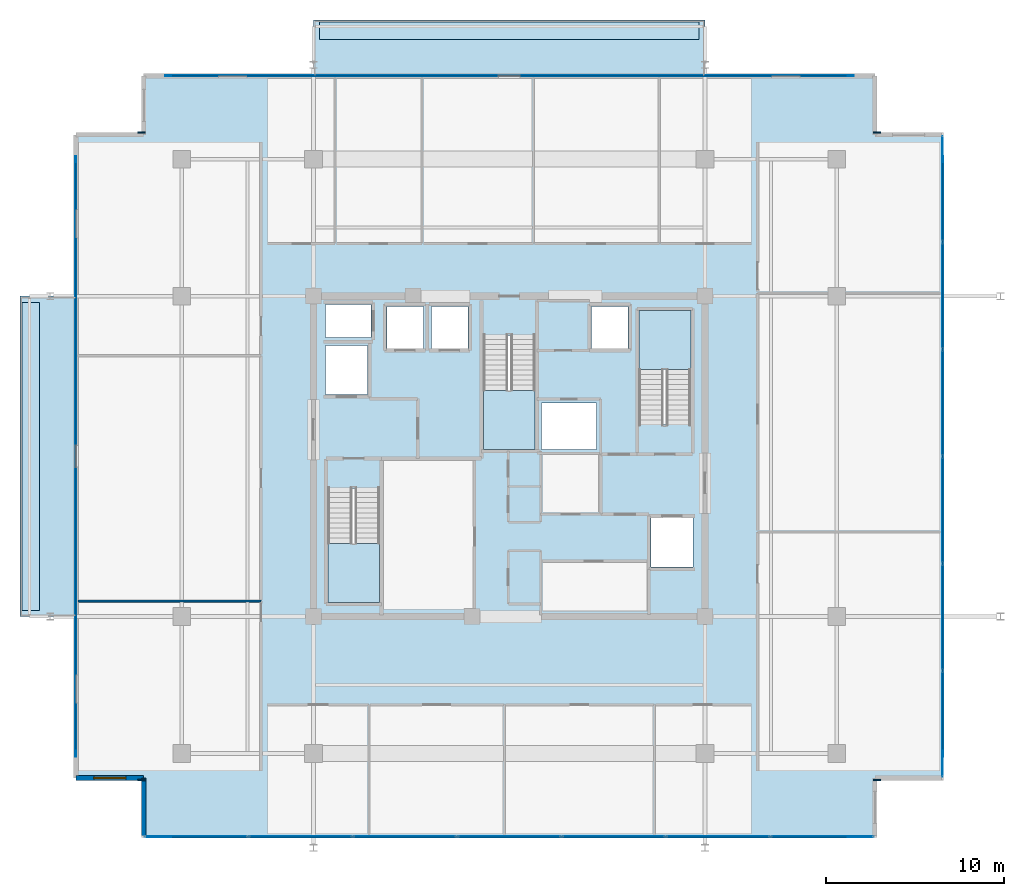
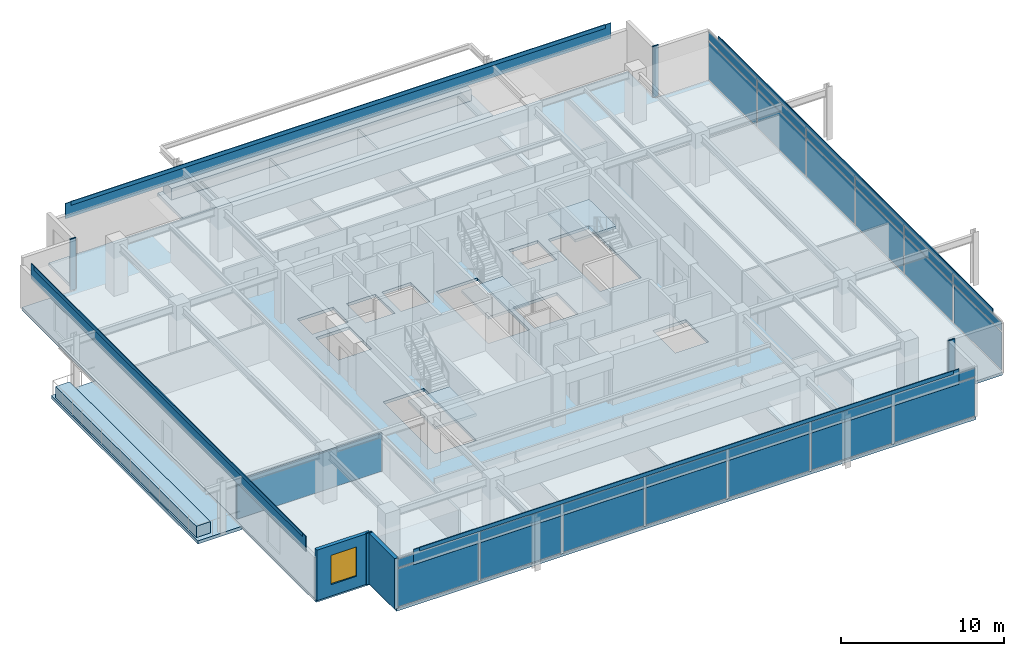
# One storey, part 12 of 20: 38 plates, 8 slabs, 3 walls, 1 window, 1 opening, 5 elements without a shape of their own.
"""IFC4 building model written with IfcOpenShell, lengths in metres."""

from ifc_helpers import new_model, si_unit, direction, frame, frame_2d, origin, origin_2d, place, context, subcontext, project, spatial, polyline, rectangle, outline, extrude, material, layer, layer_set, type_object, element, fill, aggregate, save


model = new_model("IFC4")

# Units and contexts
model_context = context("Model", 3, precision=1e-05, world=origin(), true_north=direction((0.0, 1.0)))
body_context = subcontext(model_context, "Body", "Model", "MODEL_VIEW")
ifc_project = project(units=[si_unit("LENGTHUNIT", "METRE"), si_unit("AREAUNIT", "SQUARE_METRE"), si_unit("VOLUMEUNIT", "CUBIC_METRE"), si_unit("PLANEANGLEUNIT", "RADIAN"), si_unit("MASSUNIT", "GRAM", prefix="KILO")], contexts=[model_context])

# Site, building, storey
site_placement = place(None, origin())
site = spatial("IfcSite", under=ifc_project, at=site_placement, CompositionType="ELEMENT")
building_placement = place(site_placement, origin())
building = spatial("IfcBuilding", under=site, at=building_placement, Name="Kovane Verandah Tower", CompositionType="ELEMENT")
storey_placement = place(building_placement, frame((0.0, 0.0, 334.800048828125)))
storey = spatial("IfcBuildingStorey", under=building, at=storey_placement, Name="L78", CompositionType="ELEMENT", Elevation=334.800048828125)

# Curtain wall, plates
ifc_material_1 = material(Name="Champagne Anodised Aluminium Frame with Low-E Clear Laminated Glass", Category="aluminium")
curtain_wall_type = type_object("IfcCurtainWallType", Name="CW-SYS-05-HIGH", PredefinedType="NOTDEFINED", material=ifc_material_1)
curtain_wall_1_placement = place(storey_placement, origin())
curtain_wall_1 = element("IfcCurtainWall", 1, at=curtain_wall_1_placement, inside=storey, type_object=curtain_wall_type, Name="L78 S Unitised Curtain Wall", PredefinedType="NOTDEFINED")
ifc_material_2 = material(Name="Pale Champagne Anodised Aluminium Insulated Spandrel", Category="aluminium")
ifc_layer_1 = layer(ifc_material_2, 0.0400390625)
ifc_layer_set_1 = layer_set([ifc_layer_1], Name="Pale Champagne Anodised Aluminium Insulated Spandrel")
plate_type_1 = type_object("IfcPlateType", Name="PL-CW-SPD-40", PredefinedType="SHEET", material=ifc_layer_set_1)
plate_1_placement = place(storey_placement, frame((22.390380859375, 6.127685546875, 3.05517578125), z_axis=(0.0, 0.0, 1.0), x_axis=(1.0, 0.0, 0.0)))
plate_1 = element("IfcPlate", 2, at=plate_1_placement, type_object=plate_type_1, Name="L78 S Unitised Curtain Wall Spandrel Panel 1", PredefinedType="SHEET", context=body_context, shape_type="SweptSolid", body=[
    extrude(rectangle(XDim=5.729736328125, YDim=0.0400390625, at=origin_2d()), origin(), (0.0, 0.0, 1.0), 0.639892578125),
])
plate_2_placement = place(storey_placement, frame((28.26025390625, 6.127685546875, 3.05517578125), z_axis=(0.0, 0.0, 1.0), x_axis=(1.0, 0.0, 0.0)))
plate_2 = element("IfcPlate", 3, at=plate_2_placement, type_object=plate_type_1, Name="L78 S Unitised Curtain Wall Spandrel Panel 2", PredefinedType="SHEET", context=body_context, shape_type="SweptSolid", body=[
    extrude(rectangle(XDim=5.729736328125, YDim=0.0400390625, at=origin_2d()), origin(), (0.0, 0.0, 1.0), 0.639892578125),
])
plate_3_placement = place(storey_placement, frame((34.130126953125, 6.127685546875, 3.05517578125), z_axis=(0.0, 0.0, 1.0), x_axis=(1.0, 0.0, 0.0)))
plate_3 = element("IfcPlate", 4, at=plate_3_placement, type_object=plate_type_1, Name="L78 S Unitised Curtain Wall Spandrel Panel 3", PredefinedType="SHEET", context=body_context, shape_type="SweptSolid", body=[
    extrude(rectangle(XDim=5.729736328125, YDim=0.0400390625, at=origin_2d()), origin(), (0.0, 0.0, 1.0), 0.639892578125),
])
plate_4_placement = place(storey_placement, frame((40.0, 6.127685546875, 3.05517578125), z_axis=(0.0, 0.0, 1.0), x_axis=(1.0, 0.0, 0.0)))
plate_4 = element("IfcPlate", 5, at=plate_4_placement, type_object=plate_type_1, Name="L78 S Unitised Curtain Wall Spandrel Panel 4", PredefinedType="SHEET", context=body_context, shape_type="SweptSolid", body=[
    extrude(rectangle(XDim=5.729736328125, YDim=0.0400390625, at=origin_2d()), origin(), (0.0, 0.0, 1.0), 0.639892578125),
])
plate_5_placement = place(storey_placement, frame((45.869873046875, 6.127685546875, 3.05517578125), z_axis=(0.0, 0.0, 1.0), x_axis=(1.0, 0.0, 0.0)))
plate_5 = element("IfcPlate", 6, at=plate_5_placement, type_object=plate_type_1, Name="L78 S Unitised Curtain Wall Spandrel Panel 5", PredefinedType="SHEET", context=body_context, shape_type="SweptSolid", body=[
    extrude(rectangle(XDim=5.729736328125, YDim=0.0400390625, at=origin_2d()), origin(), (0.0, 0.0, 1.0), 0.639892578125),
])
plate_6_placement = place(storey_placement, frame((51.73974609375, 6.127685546875, 3.05517578125), z_axis=(0.0, 0.0, 1.0), x_axis=(1.0, 0.0, 0.0)))
plate_6 = element("IfcPlate", 7, at=plate_6_placement, type_object=plate_type_1, Name="L78 S Unitised Curtain Wall Spandrel Panel 6", PredefinedType="SHEET", context=body_context, shape_type="SweptSolid", body=[
    extrude(rectangle(XDim=5.729736328125, YDim=0.0400390625, at=origin_2d()), origin(), (0.0, 0.0, 1.0), 0.639892578125),
])
plate_7_placement = place(storey_placement, frame((57.609619140625, 6.127685546875, 3.05517578125), z_axis=(0.0, 0.0, 1.0), x_axis=(1.0, 0.0, 0.0)))
plate_7 = element("IfcPlate", 8, at=plate_7_placement, type_object=plate_type_1, Name="L78 S Unitised Curtain Wall Spandrel Panel 7", PredefinedType="SHEET", context=body_context, shape_type="SweptSolid", body=[
    extrude(rectangle(XDim=5.729736328125, YDim=0.0400390625, at=origin_2d()), origin(), (0.0, 0.0, 1.0), 0.639892578125),
])

curtain_wall_2_placement = place(storey_placement, origin())
curtain_wall_2 = element("IfcCurtainWall", 9, at=curtain_wall_2_placement, inside=storey, type_object=curtain_wall_type, Name="L78 E Unitised Curtain Wall", PredefinedType="NOTDEFINED")
plate_8_placement = place(storey_placement, frame((64.344482421875, 12.439697265625, 3.05517578125), z_axis=(0.0, 0.0, 1.0), x_axis=(0.0, 1.0, 0.0)))
plate_8 = element("IfcPlate", 10, at=plate_8_placement, type_object=plate_type_1, Name="L78 E Unitised Curtain Wall Spandrel Panel 1", PredefinedType="SHEET", context=body_context, shape_type="SweptSolid", body=[
    extrude(rectangle(XDim=5.884033203125, YDim=0.0400390625, at=origin_2d()), origin(), (0.0, 0.0, 1.0), 0.639892578125),
])
plate_9_placement = place(storey_placement, frame((64.344482421875, 18.4638671875, 3.05517578125), z_axis=(0.0, 0.0, 1.0), x_axis=(0.0, 1.0, 0.0)))
plate_9 = element("IfcPlate", 11, at=plate_9_placement, type_object=plate_type_1, Name="L78 E Unitised Curtain Wall Spandrel Panel 2", PredefinedType="SHEET", context=body_context, shape_type="SweptSolid", body=[
    extrude(rectangle(XDim=5.884033203125, YDim=0.0400390625, at=origin_2d()), origin(), (0.0, 0.0, 1.0), 0.639892578125),
])
plate_10_placement = place(storey_placement, frame((64.344482421875, 24.488037109375, 3.05517578125), z_axis=(0.0, 0.0, 1.0), x_axis=(0.0, 1.0, 0.0)))
plate_10 = element("IfcPlate", 12, at=plate_10_placement, type_object=plate_type_1, Name="L78 E Unitised Curtain Wall Spandrel Panel 3", PredefinedType="SHEET", context=body_context, shape_type="SweptSolid", body=[
    extrude(rectangle(XDim=5.884033203125, YDim=0.0400390625, at=origin_2d()), origin(), (0.0, 0.0, 1.0), 0.639892578125),
])
plate_11_placement = place(storey_placement, frame((64.344482421875, 30.511962890625, 3.05517578125), z_axis=(0.0, 0.0, 1.0), x_axis=(0.0, 1.0, 0.0)))
plate_11 = element("IfcPlate", 13, at=plate_11_placement, type_object=plate_type_1, Name="L78 E Unitised Curtain Wall Spandrel Panel 4", PredefinedType="SHEET", context=body_context, shape_type="SweptSolid", body=[
    extrude(rectangle(XDim=5.884033203125, YDim=0.0400390625, at=origin_2d()), origin(), (0.0, 0.0, 1.0), 0.639892578125),
])
plate_12_placement = place(storey_placement, frame((64.344482421875, 36.5361328125, 3.05517578125), z_axis=(0.0, 0.0, 1.0), x_axis=(0.0, 1.0, 0.0)))
plate_12 = element("IfcPlate", 14, at=plate_12_placement, type_object=plate_type_1, Name="L78 E Unitised Curtain Wall Spandrel Panel 5", PredefinedType="SHEET", context=body_context, shape_type="SweptSolid", body=[
    extrude(rectangle(XDim=5.884033203125, YDim=0.0400390625, at=origin_2d()), origin(), (0.0, 0.0, 1.0), 0.639892578125),
])
plate_13_placement = place(storey_placement, frame((64.344482421875, 42.560302734375, 3.05517578125), z_axis=(0.0, 0.0, 1.0), x_axis=(0.0, 1.0, 0.0)))
plate_13 = element("IfcPlate", 15, at=plate_13_placement, type_object=plate_type_1, Name="L78 E Unitised Curtain Wall Spandrel Panel 6", PredefinedType="SHEET", context=body_context, shape_type="SweptSolid", body=[
    extrude(rectangle(XDim=5.884033203125, YDim=0.0400390625, at=origin_2d()), origin(), (0.0, 0.0, 1.0), 0.639892578125),
])

# Plate
ifc_material_3 = material(Name="Clear Low-E Laminated Double Glazing", Category="glass")
ifc_layer_2 = layer(ifc_material_3, 0.031982421875)
ifc_layer_set_2 = layer_set([ifc_layer_2], Name="Clear Low-E Laminated Double Glazing")
plate_type_2 = type_object("IfcPlateType", Name="PL-CW-VIS-32", PredefinedType="CURTAIN_PANEL", material=ifc_layer_set_2)
plate_14_placement = place(storey_placement, frame((22.390380859375, 6.127685546875, 0.099853515625), z_axis=(0.0, 0.0, 1.0), x_axis=(1.0, 0.0, 0.0)))
plate_14 = element("IfcPlate", 16, at=plate_14_placement, type_object=plate_type_2, Name="L78 S Unitised Curtain Wall Vision Panel 1", PredefinedType="CURTAIN_PANEL", context=body_context, shape_type="SweptSolid", body=[
    extrude(rectangle(XDim=5.729736328125, YDim=0.031982421875, at=origin_2d()), origin(), (0.0, 0.0, 1.0), 2.85498046875),
])

plate_15_placement = place(storey_placement, frame((28.26025390625, 6.127685546875, 0.099853515625), z_axis=(0.0, 0.0, 1.0), x_axis=(1.0, 0.0, 0.0)))
plate_15 = element("IfcPlate", 17, at=plate_15_placement, type_object=plate_type_2, Name="L78 S Unitised Curtain Wall Vision Panel 2", PredefinedType="CURTAIN_PANEL", context=body_context, shape_type="SweptSolid", body=[
    extrude(rectangle(XDim=5.729736328125, YDim=0.031982421875, at=origin_2d()), origin(), (0.0, 0.0, 1.0), 2.85498046875),
])

plate_16_placement = place(storey_placement, frame((34.130126953125, 6.127685546875, 0.099853515625), z_axis=(0.0, 0.0, 1.0), x_axis=(1.0, 0.0, 0.0)))
plate_16 = element("IfcPlate", 18, at=plate_16_placement, type_object=plate_type_2, Name="L78 S Unitised Curtain Wall Vision Panel 3", PredefinedType="CURTAIN_PANEL", context=body_context, shape_type="SweptSolid", body=[
    extrude(rectangle(XDim=5.729736328125, YDim=0.031982421875, at=origin_2d()), origin(), (0.0, 0.0, 1.0), 2.85498046875),
])

plate_17_placement = place(storey_placement, frame((40.0, 6.127685546875, 0.099853515625), z_axis=(0.0, 0.0, 1.0), x_axis=(1.0, 0.0, 0.0)))
plate_17 = element("IfcPlate", 19, at=plate_17_placement, type_object=plate_type_2, Name="L78 S Unitised Curtain Wall Vision Panel 4", PredefinedType="CURTAIN_PANEL", context=body_context, shape_type="SweptSolid", body=[
    extrude(rectangle(XDim=5.729736328125, YDim=0.031982421875, at=origin_2d()), origin(), (0.0, 0.0, 1.0), 2.85498046875),
])

plate_18_placement = place(storey_placement, frame((45.869873046875, 6.127685546875, 0.099853515625), z_axis=(0.0, 0.0, 1.0), x_axis=(1.0, 0.0, 0.0)))
plate_18 = element("IfcPlate", 20, at=plate_18_placement, type_object=plate_type_2, Name="L78 S Unitised Curtain Wall Vision Panel 5", PredefinedType="CURTAIN_PANEL", context=body_context, shape_type="SweptSolid", body=[
    extrude(rectangle(XDim=5.729736328125, YDim=0.031982421875, at=origin_2d()), origin(), (0.0, 0.0, 1.0), 2.85498046875),
])

plate_19_placement = place(storey_placement, frame((51.73974609375, 6.127685546875, 0.099853515625), z_axis=(0.0, 0.0, 1.0), x_axis=(1.0, 0.0, 0.0)))
plate_19 = element("IfcPlate", 21, at=plate_19_placement, type_object=plate_type_2, Name="L78 S Unitised Curtain Wall Vision Panel 6", PredefinedType="CURTAIN_PANEL", context=body_context, shape_type="SweptSolid", body=[
    extrude(rectangle(XDim=5.729736328125, YDim=0.031982421875, at=origin_2d()), origin(), (0.0, 0.0, 1.0), 2.85498046875),
])

plate_20_placement = place(storey_placement, frame((57.609619140625, 6.127685546875, 0.099853515625), z_axis=(0.0, 0.0, 1.0), x_axis=(1.0, 0.0, 0.0)))
plate_20 = element("IfcPlate", 22, at=plate_20_placement, type_object=plate_type_2, Name="L78 S Unitised Curtain Wall Vision Panel 7", PredefinedType="CURTAIN_PANEL", context=body_context, shape_type="SweptSolid", body=[
    extrude(rectangle(XDim=5.729736328125, YDim=0.031982421875, at=origin_2d()), origin(), (0.0, 0.0, 1.0), 2.85498046875),
])

aggregate(curtain_wall_1, [plate_14, plate_1, plate_15, plate_2, plate_16, plate_3, plate_17, plate_4, plate_18, plate_5, plate_19, plate_6, plate_20, plate_7])

plate_21_placement = place(storey_placement, frame((64.344482421875, 12.439697265625, 0.099853515625), z_axis=(0.0, 0.0, 1.0), x_axis=(0.0, 1.0, 0.0)))
plate_21 = element("IfcPlate", 23, at=plate_21_placement, type_object=plate_type_2, Name="L78 E Unitised Curtain Wall Vision Panel 1", PredefinedType="CURTAIN_PANEL", context=body_context, shape_type="SweptSolid", body=[
    extrude(rectangle(XDim=5.884033203125, YDim=0.031982421875, at=origin_2d()), origin(), (0.0, 0.0, 1.0), 2.85498046875),
])

plate_22_placement = place(storey_placement, frame((64.344482421875, 18.4638671875, 0.099853515625), z_axis=(0.0, 0.0, 1.0), x_axis=(0.0, 1.0, 0.0)))
plate_22 = element("IfcPlate", 24, at=plate_22_placement, type_object=plate_type_2, Name="L78 E Unitised Curtain Wall Vision Panel 2", PredefinedType="CURTAIN_PANEL", context=body_context, shape_type="SweptSolid", body=[
    extrude(rectangle(XDim=5.884033203125, YDim=0.031982421875, at=origin_2d()), origin(), (0.0, 0.0, 1.0), 2.85498046875),
])

plate_23_placement = place(storey_placement, frame((64.344482421875, 24.488037109375, 0.099853515625), z_axis=(0.0, 0.0, 1.0), x_axis=(0.0, 1.0, 0.0)))
plate_23 = element("IfcPlate", 25, at=plate_23_placement, type_object=plate_type_2, Name="L78 E Unitised Curtain Wall Vision Panel 3", PredefinedType="CURTAIN_PANEL", context=body_context, shape_type="SweptSolid", body=[
    extrude(rectangle(XDim=5.884033203125, YDim=0.031982421875, at=origin_2d()), origin(), (0.0, 0.0, 1.0), 2.85498046875),
])

plate_24_placement = place(storey_placement, frame((64.344482421875, 30.511962890625, 0.099853515625), z_axis=(0.0, 0.0, 1.0), x_axis=(0.0, 1.0, 0.0)))
plate_24 = element("IfcPlate", 26, at=plate_24_placement, type_object=plate_type_2, Name="L78 E Unitised Curtain Wall Vision Panel 4", PredefinedType="CURTAIN_PANEL", context=body_context, shape_type="SweptSolid", body=[
    extrude(rectangle(XDim=5.884033203125, YDim=0.031982421875, at=origin_2d()), origin(), (0.0, 0.0, 1.0), 2.85498046875),
])

plate_25_placement = place(storey_placement, frame((64.344482421875, 36.5361328125, 0.099853515625), z_axis=(0.0, 0.0, 1.0), x_axis=(0.0, 1.0, 0.0)))
plate_25 = element("IfcPlate", 27, at=plate_25_placement, type_object=plate_type_2, Name="L78 E Unitised Curtain Wall Vision Panel 5", PredefinedType="CURTAIN_PANEL", context=body_context, shape_type="SweptSolid", body=[
    extrude(rectangle(XDim=5.884033203125, YDim=0.031982421875, at=origin_2d()), origin(), (0.0, 0.0, 1.0), 2.85498046875),
])

plate_26_placement = place(storey_placement, frame((64.344482421875, 42.560302734375, 0.099853515625), z_axis=(0.0, 0.0, 1.0), x_axis=(0.0, 1.0, 0.0)))
plate_26 = element("IfcPlate", 28, at=plate_26_placement, type_object=plate_type_2, Name="L78 E Unitised Curtain Wall Vision Panel 6", PredefinedType="CURTAIN_PANEL", context=body_context, shape_type="SweptSolid", body=[
    extrude(rectangle(XDim=5.884033203125, YDim=0.031982421875, at=origin_2d()), origin(), (0.0, 0.0, 1.0), 2.85498046875),
])

aggregate(curtain_wall_2, [plate_21, plate_8, plate_22, plate_9, plate_23, plate_10, plate_24, plate_11, plate_25, plate_12, plate_26, plate_13])

# Plates
ifc_material_4 = material(Name="Timber-Toned Subtropical Aluminium Vertical Blade", Category="wood")
ifc_layer_3 = layer(ifc_material_4, 0.090087890625)
ifc_layer_set_3 = layer_set([ifc_layer_3], Name="Timber-Toned Subtropical Aluminium Vertical Blade")
plate_type_3 = type_object("IfcPlateType", Name="PL-FIN-90", PredefinedType="USERDEFINED", material=ifc_layer_set_3)
for number, where, z_axis, x_axis, name in (
    (29, (19.335693359375, 9.307861328125, -0.02001953125), (0.0, 0.0, 1.0), (1.0, 0.0, 0.0), "L78 SW Timber-Toned Vertical Corner Fin"),
    (30, (60.664306640625, 9.307861328125, -0.02001953125), (0.0, 0.0, 1.0), (1.0, 0.0, 0.0), "L78 SE Timber-Toned Vertical Corner Fin"),
    (31, (60.664306640625, 45.692138671875, -0.02001953125), (0.0, 0.0, 1.0), (1.0, 0.0, 0.0), "L78 NE Timber-Toned Vertical Corner Fin"),
    (32, (19.335693359375, 45.692138671875, -0.02001953125), (0.0, 0.0, 1.0), (1.0, 0.0, 0.0), "L78 NW Timber-Toned Vertical Corner Fin"),
):
    element("IfcPlate", number, at=place(storey_placement, frame(where, z_axis=z_axis, x_axis=x_axis)), inside=storey, type_object=plate_type_3, Name=name, ObjectType="FIN", PredefinedType="USERDEFINED", context=body_context, shape_type="SweptSolid", body=[
        extrude(rectangle(XDim=0.419921875, YDim=0.090087890625, at=origin_2d()), origin(), (0.0, 0.0, 1.0), 3.844970703125),
    ])
ifc_material_5 = material(Name="Perforated Pale Champagne Anodised Aluminium Solar Screen", Category="aluminium")
ifc_layer_4 = layer(ifc_material_5, 0.050048828125)
ifc_layer_set_4 = layer_set([ifc_layer_4], Name="Perforated Pale Champagne Anodised Aluminium Solar Screen")
plate_type_4 = type_object("IfcPlateType", Name="PL-SCREEN-50", PredefinedType="USERDEFINED", material=ifc_layer_set_4)
plate_27_placement = place(storey_placement, frame((40.0, 6.11279296875, 2.885009765625), z_axis=(0.0, 0.0, 1.0), x_axis=(1.0, 0.0, 0.0)))
element("IfcPlate", 33, at=plate_27_placement, inside=storey, type_object=plate_type_4, Name="L78 S Perforated Champagne-Gold Solar Screen", ObjectType="SCREEN", PredefinedType="USERDEFINED", context=body_context, shape_type="SweptSolid", body=[
    extrude(rectangle(XDim=38.68896484375, YDim=0.050048828125, at=origin_2d()), origin(), (0.0, 0.0, 1.0), 1.14990234375),
])
plate_28_placement = place(storey_placement, frame((64.359375, 27.5, 2.885009765625), z_axis=(0.0, 0.0, 1.0), x_axis=(0.0, 1.0, 0.0)))
element("IfcPlate", 34, at=plate_28_placement, inside=storey, type_object=plate_type_4, Name="L78 E Perforated Champagne-Gold Solar Screen", ObjectType="SCREEN", PredefinedType="USERDEFINED", context=body_context, shape_type="SweptSolid", body=[
    extrude(rectangle(XDim=33.743896484375, YDim=0.050048828125, at=origin_2d()), origin(), (0.0, 0.0, 1.0), 1.14990234375),
])
plate_29_placement = place(storey_placement, frame((40.0, 48.88720703125, 2.885009765625), z_axis=(0.0, 0.0, 1.0), x_axis=(-1.0, 0.0, 0.0)))
element("IfcPlate", 35, at=plate_29_placement, inside=storey, type_object=plate_type_4, Name="L78 N Perforated Champagne-Gold Solar Screen", ObjectType="SCREEN", PredefinedType="USERDEFINED", context=body_context, shape_type="SweptSolid", body=[
    extrude(rectangle(XDim=38.68896484375, YDim=0.050048828125, at=origin_2d()), origin(), (0.0, 0.0, 1.0), 1.14990234375),
])
plate_30_placement = place(storey_placement, frame((15.640625, 27.5, 2.885009765625), z_axis=(0.0, 0.0, 1.0), x_axis=(0.0, -1.0, 0.0)))
element("IfcPlate", 36, at=plate_30_placement, inside=storey, type_object=plate_type_4, Name="L78 W Perforated Champagne-Gold Solar Screen", ObjectType="SCREEN", PredefinedType="USERDEFINED", context=body_context, shape_type="SweptSolid", body=[
    extrude(rectangle(XDim=33.743896484375, YDim=0.050048828125, at=origin_2d()), origin(), (0.0, 0.0, 1.0), 1.14990234375),
])
ifc_material_6 = material(Name="Extruded Pale-Bronze Aluminium Aerofoil Sunshade", Category="aluminium")
ifc_layer_5 = layer(ifc_material_6, 0.06005859375)
ifc_layer_set_5 = layer_set([ifc_layer_5], Name="Extruded Pale-Bronze Aluminium Aerofoil Sunshade")
plate_type_5 = type_object("IfcPlateType", Name="PL-SUNSHADE-60", PredefinedType="USERDEFINED", material=ifc_layer_set_5)
plate_31_placement = place(storey_placement, frame((40.0, 6.10791015625, 3.76513671875), z_axis=(0.0, 0.0, 1.0), x_axis=(1.0, 0.0, 0.0)))
element("IfcPlate", 37, at=plate_31_placement, inside=storey, type_object=plate_type_5, Name="L78 S Subtropical Aerofoil Sunshade", ObjectType="SUNSHADE", PredefinedType="USERDEFINED", context=body_context, shape_type="SweptSolid", body=[
    extrude(rectangle(XDim=37.888916015625, YDim=0.06005859375, at=origin_2d()), origin(), (0.0, 0.0, 1.0), 0.280029296875),
])
plate_32_placement = place(storey_placement, frame((64.364501953125, 27.5, 3.76513671875), z_axis=(0.0, 0.0, 1.0), x_axis=(0.0, 1.0, 0.0)))
element("IfcPlate", 38, at=plate_32_placement, inside=storey, type_object=plate_type_5, Name="L78 E Subtropical Aerofoil Sunshade", ObjectType="SUNSHADE", PredefinedType="USERDEFINED", context=body_context, shape_type="SweptSolid", body=[
    extrude(rectangle(XDim=32.944091796875, YDim=0.06005859375, at=origin_2d()), origin(), (0.0, 0.0, 1.0), 0.280029296875),
])
plate_33_placement = place(storey_placement, frame((40.0, 48.89208984375, 3.76513671875), z_axis=(0.0, 0.0, 1.0), x_axis=(-1.0, 0.0, 0.0)))
element("IfcPlate", 39, at=plate_33_placement, inside=storey, type_object=plate_type_5, Name="L78 N Subtropical Aerofoil Sunshade", ObjectType="SUNSHADE", PredefinedType="USERDEFINED", context=body_context, shape_type="SweptSolid", body=[
    extrude(rectangle(XDim=37.888916015625, YDim=0.06005859375, at=origin_2d()), origin(), (0.0, 0.0, 1.0), 0.280029296875),
])
plate_34_placement = place(storey_placement, frame((15.635498046875, 27.5, 3.76513671875), z_axis=(0.0, 0.0, 1.0), x_axis=(0.0, -1.0, 0.0)))
element("IfcPlate", 40, at=plate_34_placement, inside=storey, type_object=plate_type_5, Name="L78 W Subtropical Aerofoil Sunshade", ObjectType="SUNSHADE", PredefinedType="USERDEFINED", context=body_context, shape_type="SweptSolid", body=[
    extrude(rectangle(XDim=32.944091796875, YDim=0.06005859375, at=origin_2d()), origin(), (0.0, 0.0, 1.0), 0.280029296875),
])

# Slabs
ifc_material_7 = material(Name="Concrete C45/55", Category="concrete")
ifc_layer_6 = layer(ifc_material_7, 0.239990234375)
ifc_layer_set_6 = layer_set([ifc_layer_6], Name="Concrete C45/55")
slab_type_1 = type_object("IfcSlabType", Name="SL-BALC-240", PredefinedType="FLOOR", material=ifc_layer_set_6)
slab_1_placement = place(storey_placement, frame((0.0, 0.0, -0.239990234375)))
element("IfcSlab", 41, at=slab_1_placement, inside=storey, type_object=slab_type_1, Name="L78 N Planted Verandah Balcony Slab", PredefinedType="FLOOR", context=body_context, shape_type="SweptSolid", body=[
    extrude(outline(polyline([(29.0, 48.872314453125), (51.0, 48.872314453125), (51.0, 52.022216796875), (29.0, 52.022216796875), (29.0, 48.872314453125)])), origin(), (0.0, 0.0, 1.0), 0.239990234375),
])
slab_2_placement = place(storey_placement, frame((0.0, 0.0, -0.239990234375)))
element("IfcSlab", 42, at=slab_2_placement, inside=storey, type_object=slab_type_1, Name="L78 W Planted Verandah Balcony Slab", PredefinedType="FLOOR", context=body_context, shape_type="SweptSolid", body=[
    extrude(outline(polyline([(12.505615234375, 18.5), (15.655517578125, 18.5), (15.655517578125, 36.5), (12.505615234375, 36.5), (12.505615234375, 18.5)])), origin(), (0.0, 0.0, 1.0), 0.239990234375),
])
ifc_layer_7 = layer(ifc_material_7, 0.215087890625)
ifc_layer_set_7 = layer_set([ifc_layer_7], Name="Concrete C45/55")
slab_type_2 = type_object("IfcSlabType", Name="SL-HIGH-215", PredefinedType="FLOOR", material=ifc_layer_set_7)
slab_3_placement = place(storey_placement, frame((0.0, 0.0, -0.215087890625)))
element("IfcSlab", 43, at=slab_3_placement, inside=storey, type_object=slab_type_2, Name="L78 Structural Floor Slab", PredefinedType="FLOOR", context=body_context, shape_type="SweptSolid", body=[
    extrude(outline(polyline([(19.45556640625, 6.127685546875), (60.54443359375, 6.127685546875), (60.54443359375, 9.427734375), (64.344482421875, 9.427734375), (64.344482421875, 45.572265625), (60.54443359375, 45.572265625), (60.54443359375, 48.872314453125), (19.45556640625, 48.872314453125), (19.45556640625, 45.572265625), (15.655517578125, 45.572265625), (15.655517578125, 9.427734375), (19.45556640625, 9.427734375), (19.45556640625, 6.127685546875)]), holes=[polyline([(29.800048828125, 19.300048828125), (32.719970703125, 19.300048828125), (32.719970703125, 25.705078125), (29.800048828125, 25.705078125), (29.800048828125, 19.300048828125)]), polyline([(47.280029296875, 29.294921875), (50.199951171875, 29.294921875), (50.199951171875, 35.699951171875), (47.280029296875, 35.699951171875), (47.280029296875, 29.294921875)]), polyline([(38.5400390625, 27.89990234375), (41.4599609375, 27.89990234375), (41.4599609375, 34.304931640625), (38.5400390625, 34.304931640625), (38.5400390625, 27.89990234375)]), polyline([(29.669921875, 30.969970703125), (32.030029296875, 30.969970703125), (32.030029296875, 33.72998046875), (29.669921875, 33.72998046875), (29.669921875, 30.969970703125)]), polyline([(47.969970703125, 21.27001953125), (50.330078125, 21.27001953125), (50.330078125, 24.030029296875), (47.969970703125, 24.030029296875), (47.969970703125, 21.27001953125)]), polyline([(29.669921875, 34.169921875), (32.22998046875, 34.169921875), (32.22998046875, 36.030029296875), (29.669921875, 36.030029296875), (29.669921875, 34.169921875)]), polyline([(33.1201171875, 33.570068359375), (35.179931640625, 33.570068359375), (35.179931640625, 35.929931640625), (33.1201171875, 35.929931640625), (33.1201171875, 33.570068359375)]), polyline([(35.6201171875, 33.570068359375), (37.679931640625, 33.570068359375), (37.679931640625, 35.929931640625), (35.6201171875, 35.929931640625), (35.6201171875, 33.570068359375)]), polyline([(44.6201171875, 33.570068359375), (46.679931640625, 33.570068359375), (46.679931640625, 35.929931640625), (44.6201171875, 35.929931640625), (44.6201171875, 33.570068359375)]), polyline([(41.800048828125, 27.89990234375), (44.89990234375, 27.89990234375), (44.89990234375, 30.5), (41.800048828125, 30.5), (41.800048828125, 27.89990234375)])]), origin(), (0.0, 0.0, 1.0), 0.215087890625),
])

# Stair, slab
stair_type = type_object("IfcStairType", Name="ST-CORE-1380", PredefinedType="HALF_TURN_STAIR", material=ifc_material_7)
stair_1_placement = place(storey_placement, origin())
stair_1 = element("IfcStair", 44, at=stair_1_placement, inside=storey, type_object=stair_type, Name="L78 Exit Stair ST-01", PredefinedType="HALF_TURN_STAIR")
ifc_layer_8 = layer(ifc_material_7, 0.199951171875)
ifc_layer_set_8 = layer_set([ifc_layer_8], Name="Concrete C45/55")
slab_type_3 = type_object("IfcSlabType", Name="SL-LAND-200", PredefinedType="LANDING", material=ifc_layer_set_8)
slab_4_placement = place(storey_placement, frame((0.0, 0.0, 1.800048828125)))
slab_4 = element("IfcSlab", 45, at=slab_4_placement, type_object=slab_type_3, Name="ST-01 landing 1", PredefinedType="LANDING", context=body_context, shape_type="SweptSolid", body=[
    extrude(outline(polyline([(29.800048828125, 22.614990234375), (29.800048828125, 19.300048828125), (32.719970703125, 19.300048828125), (32.719970703125, 22.614990234375), (29.800048828125, 22.614990234375)])), origin(), (0.0, 0.0, 1.0), 0.199951171875),
])
aggregate(stair_1, [slab_4])

stair_2_placement = place(storey_placement, origin())
stair_2 = element("IfcStair", 46, at=stair_2_placement, inside=storey, type_object=stair_type, Name="L78 Exit Stair ST-02", PredefinedType="HALF_TURN_STAIR")
slab_5_placement = place(storey_placement, frame((0.0, 0.0, 1.800048828125)))
slab_5 = element("IfcSlab", 47, at=slab_5_placement, type_object=slab_type_3, Name="ST-02 landing 1", PredefinedType="LANDING", context=body_context, shape_type="SweptSolid", body=[
    extrude(outline(polyline([(50.199951171875, 32.385009765625), (50.199951171875, 35.699951171875), (47.280029296875, 35.699951171875), (47.280029296875, 32.385009765625), (50.199951171875, 32.385009765625)])), origin(), (0.0, 0.0, 1.0), 0.199951171875),
])
aggregate(stair_2, [slab_5])

stair_3_placement = place(storey_placement, origin())
stair_3 = element("IfcStair", 48, at=stair_3_placement, inside=storey, type_object=stair_type, Name="L78 Exit Stair ST-03", PredefinedType="HALF_TURN_STAIR")
slab_6_placement = place(storey_placement, frame((0.0, 0.0, 1.800048828125)))
slab_6 = element("IfcSlab", 49, at=slab_6_placement, type_object=slab_type_3, Name="ST-03 landing 1", PredefinedType="LANDING", context=body_context, shape_type="SweptSolid", body=[
    extrude(outline(polyline([(38.5400390625, 31.215087890625), (38.5400390625, 27.89990234375), (41.4599609375, 27.89990234375), (41.4599609375, 31.215087890625), (38.5400390625, 31.215087890625)])), origin(), (0.0, 0.0, 1.0), 0.199951171875),
])
aggregate(stair_3, [slab_6])

# Slabs
ifc_material_8 = material(Name="Architectural Precast Concrete C45/55 Planter Trough", Category="concrete")
ifc_layer_9 = layer(ifc_material_8, 0.219970703125)
ifc_layer_set_9 = layer_set([ifc_layer_9], Name="Architectural Precast Concrete C45/55 Planter Trough")
slab_type_4 = type_object("IfcSlabType", Name="SL-PLANTER-220", PredefinedType="USERDEFINED", material=ifc_layer_set_9)
slab_7_placement = place(storey_placement, origin())
element("IfcSlab", 50, at=slab_7_placement, inside=storey, type_object=slab_type_4, Name="L78 N Structural Tree Planter", ObjectType="PLANTER", PredefinedType="USERDEFINED", context=body_context, shape_type="SweptSolid", body=[
    extrude(outline(polyline([(29.35009765625, 50.922119140625), (50.64990234375, 50.922119140625), (50.64990234375, 51.922119140625), (29.35009765625, 51.922119140625), (29.35009765625, 50.922119140625)])), origin(), (0.0, 0.0, 1.0), 0.849853515625),
])
slab_8_placement = place(storey_placement, origin())
element("IfcSlab", 51, at=slab_8_placement, inside=storey, type_object=slab_type_4, Name="L78 W Structural Tree Planter", ObjectType="PLANTER", PredefinedType="USERDEFINED", context=body_context, shape_type="SweptSolid", body=[
    extrude(outline(polyline([(12.605712890625, 18.85009765625), (13.605712890625, 18.85009765625), (13.605712890625, 36.14990234375), (12.605712890625, 36.14990234375), (12.605712890625, 18.85009765625)])), origin(), (0.0, 0.0, 1.0), 0.849853515625),
])

# Wall
ifc_material_9 = material(Name="Acoustic Fire-Rated Gypsum Partition", Category="gypsum")
ifc_layer_10 = layer(ifc_material_9, 0.1201171875)
ifc_layer_set_10 = layer_set([ifc_layer_10], Name="Acoustic Fire-Rated Gypsum Partition")
wall_type_1 = type_object("IfcWallType", Name="WL-PART-120", PredefinedType="PARTITIONING", material=ifc_layer_set_10)
wall_1_placement = place(storey_placement, frame((15.755615234375, 19.370849609375, 0.0), z_axis=(0.0, 0.0, 1.0), x_axis=(1.0, 0.0, 0.0)))
element("IfcWall", 52, at=wall_1_placement, inside=storey, type_object=wall_type_1, Name="L78 Breakout Pantry W1 Dividing Partition", PredefinedType="PARTITIONING", context=body_context, shape_type="SweptSolid", body=[
    extrude(rectangle(XDim=10.29443359375, YDim=0.1201171875, at=frame_2d((5.147216796875, 0.0))), origin(), (0.0, 0.0, 1.0), 2.849853515625),
])

# Wall, opening, window
ifc_material_10 = material(Name="Concrete C45/55 Insulated Spandrel Wall", Category="concrete")
ifc_layer_11 = layer(ifc_material_10, 0.260009765625)
ifc_layer_set_11 = layer_set([ifc_layer_11], Name="Concrete C45/55 Insulated Spandrel Wall")
wall_type_2 = type_object("IfcWallType", Name="WL-SPANDREL-260", PredefinedType="PARAPET", material=ifc_layer_set_11)
wall_2_placement = place(storey_placement, frame((15.655517578125, 9.427734375, 0.0), z_axis=(0.0, 0.0, 1.0), x_axis=(1.0, 0.0, 0.0)))
wall_2 = element("IfcWall", 53, at=wall_2_placement, inside=storey, type_object=wall_type_2, Name="L78 SW Notch Cheek Wall 1", PredefinedType="PARAPET", context=body_context, shape_type="SweptSolid", body=[
    extrude(rectangle(XDim=3.800048828125, YDim=0.260009765625, at=frame_2d((1.89990234375, 0.0))), origin(), (0.0, 0.0, 1.0), 3.784912109375),
])
opening_placement = place(wall_2_placement, frame((1.0, 0.0, 0.85009765625)))
opening = element("IfcOpeningElement", 54, at=opening_placement, cuts=wall_2, Name="Opening W-03", PredefinedType="OPENING", context=body_context, shape_type="SweptSolid", body=[
    extrude(rectangle(XDim=1.800048828125, YDim=2.199951171875, at=frame_2d((0.89990234375, 1.10009765625))), frame((0.0, 0.1298828125, 0.0), z_axis=(0.0, -1.0, 0.0), x_axis=(1.0, 0.0, 0.0)), (0.0, 0.0, 1.0), 0.260009765625),
])
ifc_material_11 = material(Name="Clear Low-E Laminated Double Glazing in Anodised Frame", Category="glass")
window_type = type_object("IfcWindowType", Name="WN-NOTCH-1800x2200", PartitioningType="SINGLE_PANEL", PredefinedType="WINDOW", material=ifc_material_11)
window_placement = place(opening_placement, origin())
window = element("IfcWindow", 55, at=window_placement, inside=storey, type_object=window_type, Name="L78 SW Re-Entrant Corner Operable Window", OverallHeight=2.199951171875, OverallWidth=1.800048828125, PartitioningType="SINGLE_PANEL", PredefinedType="WINDOW", context=body_context, shape_type="SweptSolid", body=[
    extrude(rectangle(XDim=1.800048828125, YDim=2.199951171875, at=frame_2d((0.89990234375, 1.10009765625))), frame((0.0, 0.030029296875, 0.0), z_axis=(0.0, -1.0, 0.0), x_axis=(1.0, 0.0, 0.0)), (0.0, 0.0, 1.0), 0.06005859375),
])
fill(opening, window)

# Wall
wall_3_placement = place(storey_placement, frame((19.45556640625, 9.427734375, 0.0), z_axis=(0.0, 0.0, 1.0), x_axis=(0.0, -1.0, 0.0)))
element("IfcWall", 56, at=wall_3_placement, inside=storey, type_object=wall_type_2, Name="L78 SW Notch Cheek Wall 2", PredefinedType="PARAPET", context=body_context, shape_type="SweptSolid", body=[
    extrude(rectangle(XDim=3.300048828125, YDim=0.260009765625, at=frame_2d((1.64990234375, 0.0))), origin(), (0.0, 0.0, 1.0), 3.784912109375),
])

save(model, "model.ifc")
